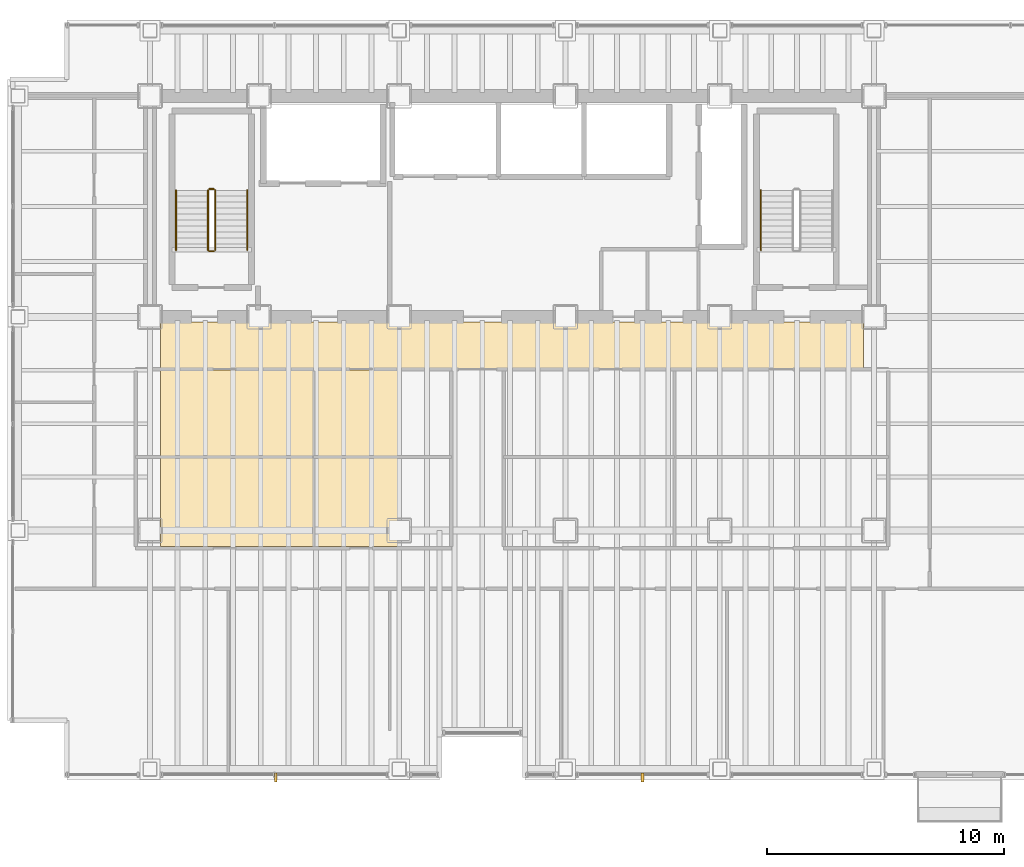
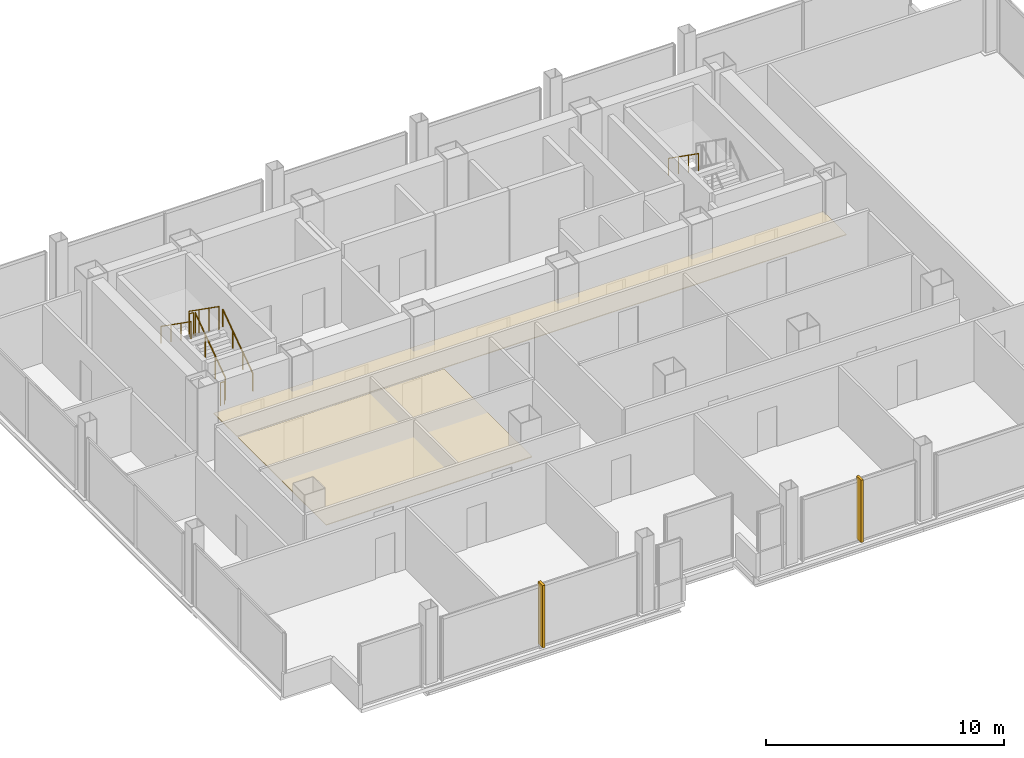
# One storey, part 21 of 22: 7 railings, 2 coverings, 2 shading devices.
"""IFC4 building model written with IfcOpenShell, lengths in metres."""

from ifc_helpers import new_model, si_unit, direction, frame, origin, origin_2d, place, context, subcontext, project, spatial, polyline, rectangle, circle, outline, extrude, material, layer, layer_set, type_object, element, save


model = new_model("IFC4")

# Units and contexts
model_context = context("Model", 3, precision=1e-05, world=origin(), true_north=direction((0.0, 1.0)))
body_context = subcontext(model_context, "Body", "Model", "MODEL_VIEW")
ifc_project = project(units=[si_unit("LENGTHUNIT", "METRE"), si_unit("AREAUNIT", "SQUARE_METRE"), si_unit("VOLUMEUNIT", "CUBIC_METRE"), si_unit("PLANEANGLEUNIT", "RADIAN"), si_unit("MASSUNIT", "GRAM", prefix="KILO")], contexts=[model_context])

# Site, building, storey
site_placement = place(None, origin())
site = spatial("IfcSite", under=ifc_project, at=site_placement, CompositionType="ELEMENT")
building_placement = place(site_placement, origin())
building = spatial("IfcBuilding", under=site, at=building_placement, Name="Noeulbin Bourse Tower", CompositionType="ELEMENT")
storey_placement = place(building_placement, frame((0.0, 0.0, 85.0)))
storey = spatial("IfcBuildingStorey", under=building, at=storey_placement, Name="L21", CompositionType="ELEMENT", Elevation=85.0)

# Coverings
ifc_material_1 = material(Name="Perforated Mineral-Fibre Acoustic Tile")
ifc_layer_1 = layer(ifc_material_1, 0.0400390625)
ifc_layer_set_1 = layer_set([ifc_layer_1], Name="Perforated Mineral-Fibre Acoustic Tile")
covering_type = type_object("IfcCoveringType", Name="COV-CEIL-ACT", PredefinedType="CEILING", material=ifc_layer_set_1)
covering_1_placement = place(storey_placement, frame((0.0, 0.0, 2.110107421875)))
element("IfcCovering", 1, at=covering_1_placement, inside=storey, type_object=covering_type, Name="Corridor Suspended Ceiling L21", PredefinedType="CEILING", context=body_context, shape_type="SweptSolid", body=[
    extrude(outline(polyline([(13.949951171875, 26.820068359375), (43.550048828125, 26.820068359375), (43.550048828125, 28.780029296875), (13.949951171875, 28.780029296875), (13.949951171875, 26.820068359375)])), origin(), (0.0, 0.0, 1.0), 0.039794921875),
])
covering_2_placement = place(storey_placement, frame((0.0, 0.0, 2.110107421875)))
element("IfcCovering", 2, at=covering_2_placement, inside=storey, type_object=covering_type, Name="Trading Suite Acoustic Ceiling L21", PredefinedType="CEILING", context=body_context, shape_type="SweptSolid", body=[
    extrude(outline(polyline([(13.949951171875, 19.320068359375), (23.949951171875, 19.320068359375), (23.949951171875, 26.75), (13.949951171875, 26.75), (13.949951171875, 19.320068359375)])), origin(), (0.0, 0.0, 1.0), 0.039794921875),
])

# Railings
ifc_material_2 = material(Name="Painted Tubular Steel S355", Category="steel")
ifc_layer_2 = layer(ifc_material_2, 0.048095703125)
ifc_layer_set_2 = layer_set([ifc_layer_2], Name="Painted Tubular Steel S355")
railing_type_1 = type_object("IfcRailingType", Name="RLG-STR-GRD", PredefinedType="GUARDRAIL", material=ifc_layer_set_2)
railing_1_placement = place(storey_placement, frame((16.25, 31.81005859375, 0.17724609375)))
element("IfcRailing", 3, at=railing_1_placement, inside=storey, type_object=railing_type_1, Name="L21 ST-1 stair guard 1", PredefinedType="GUARDRAIL", context=body_context, shape_type="SweptSolid", body=[
    extrude(circle(Radius=0.02392578125, at=origin_2d()), frame((0.0, 0.0, 1.17578125), z_axis=(0.0, 0.817904474719, 0.575354039036), x_axis=(-1.0, 0.0, 0.0)), (0.0, 0.0, 1.0), 3.0810546875),
    extrude(circle(Radius=0.02099609375, at=origin_2d()), origin(), (0.0, 0.0, 1.0), 1.15185546875),
    extrude(circle(Radius=0.02099609375, at=origin_2d()), frame((0.0, 0.840087890625, 0.5908203125)), (0.0, 0.0, 1.0), 1.15185546875),
    extrude(circle(Radius=0.02099609375, at=origin_2d()), frame((0.0, 1.679931640625, 1.181884765625)), (0.0, 0.0, 1.0), 1.15185546875),
    extrude(circle(Radius=0.02099609375, at=origin_2d()), frame((0.0, 2.52001953125, 1.772705078125)), (0.0, 0.0, 1.0), 1.15185546875),
])
railing_2_placement = place(storey_placement, frame((16.199951171875, 34.3798828125, 1.949951171875)))
element("IfcRailing", 4, at=railing_2_placement, inside=storey, type_object=railing_type_1, Name="L21 ST-1 stair guard 2", PredefinedType="GUARDRAIL", context=body_context, shape_type="SweptSolid", body=[
    extrude(circle(Radius=0.02392578125, at=origin_2d()), frame((0.0, 0.0, 1.17578125), z_axis=(-1.0, 0.0, 0.0), x_axis=(0.0, -1.0, 0.0)), (0.0, 0.0, 1.0), 0.199951171875),
    extrude(circle(Radius=0.02099609375, at=origin_2d()), origin(), (0.0, 0.0, 1.0), 1.15185546875),
    extrude(circle(Radius=0.02099609375, at=origin_2d()), frame((-0.199951171875, 0.0, 0.0)), (0.0, 0.0, 1.0), 1.15185546875),
])
railing_3_placement = place(storey_placement, frame((15.949951171875, 34.330078125, 2.127197265625)))
element("IfcRailing", 5, at=railing_3_placement, inside=storey, type_object=railing_type_1, Name="L21 ST-1 stair guard 3", PredefinedType="GUARDRAIL", context=body_context, shape_type="SweptSolid", body=[
    extrude(circle(Radius=0.02392578125, at=origin_2d()), frame((0.0, 0.0, 1.17578125), z_axis=(0.0, -0.817904474719, 0.575354039036), x_axis=(1.0, 0.0, 0.0)), (0.0, 0.0, 1.0), 3.0810546875),
    extrude(circle(Radius=0.02099609375, at=origin_2d()), origin(), (0.0, 0.0, 1.0), 1.15185546875),
    extrude(circle(Radius=0.02099609375, at=origin_2d()), frame((0.0, -0.840087890625, 0.5908203125)), (0.0, 0.0, 1.0), 1.15185546875),
    extrude(circle(Radius=0.02099609375, at=origin_2d()), frame((0.0, -1.679931640625, 1.181884765625)), (0.0, 0.0, 1.0), 1.15185546875),
    extrude(circle(Radius=0.02099609375, at=origin_2d()), frame((0.0, -2.52001953125, 1.772705078125)), (0.0, 0.0, 1.0), 1.15185546875),
])
railing_4_placement = place(storey_placement, frame((16.199951171875, 31.760009765625, 0.0)))
element("IfcRailing", 6, at=railing_4_placement, inside=storey, type_object=railing_type_1, Name="L21 ST-1 stair guard 4", PredefinedType="GUARDRAIL", context=body_context, shape_type="SweptSolid", body=[
    extrude(circle(Radius=0.02392578125, at=origin_2d()), frame((0.0, 0.0, 1.17578125), z_axis=(-1.0, 0.0, 0.0), x_axis=(0.0, -1.0, 0.0)), (0.0, 0.0, 1.0), 0.199951171875),
    extrude(circle(Radius=0.02099609375, at=origin_2d()), origin(), (0.0, 0.0, 1.0), 1.15185546875),
    extrude(circle(Radius=0.02099609375, at=origin_2d()), frame((-0.199951171875, 0.0, 0.0)), (0.0, 0.0, 1.0), 1.15185546875),
])
ifc_material_3 = material(Name="Brushed Stainless Steel 316", Category="steel")
ifc_layer_3 = layer(ifc_material_3, 0.048095703125)
ifc_layer_set_3 = layer_set([ifc_layer_3], Name="Brushed Stainless Steel 316")
railing_type_2 = type_object("IfcRailingType", Name="RLG-STR-HND", PredefinedType="HANDRAIL", material=ifc_layer_set_3)
railing_5_placement = place(storey_placement, frame((17.60009765625, 31.81005859375, 0.17724609375)))
element("IfcRailing", 7, at=railing_5_placement, inside=storey, type_object=railing_type_2, Name="L21 ST-1 stair handrail 1", PredefinedType="HANDRAIL", context=body_context, shape_type="SweptSolid", body=[
    extrude(circle(Radius=0.02392578125, at=origin_2d()), frame((0.0, 0.0, 0.8759765625), z_axis=(0.0, 0.817904474719, 0.575354039036), x_axis=(-1.0, 0.0, 0.0)), (0.0, 0.0, 1.0), 3.0810546875),
    extrude(circle(Radius=0.02099609375, at=origin_2d()), origin(), (0.0, 0.0, 1.0), 0.851806640625),
    extrude(circle(Radius=0.02099609375, at=origin_2d()), frame((0.0, 0.840087890625, 0.5908203125)), (0.0, 0.0, 1.0), 0.851806640625),
    extrude(circle(Radius=0.02099609375, at=origin_2d()), frame((0.0, 1.679931640625, 1.181884765625)), (0.0, 0.0, 1.0), 0.851806640625),
    extrude(circle(Radius=0.02099609375, at=origin_2d()), frame((0.0, 2.52001953125, 1.772705078125)), (0.0, 0.0, 1.0), 0.851806640625),
])
for number, where, name in (
    (8, (14.60009765625, 34.330078125, 2.127197265625), "L21 ST-1 stair handrail 2"),
    (9, (39.22998046875, 34.330078125, 2.127197265625), "L21 ST-2 stair handrail 2"),
):
    element("IfcRailing", number, at=place(storey_placement, frame(where)), inside=storey, type_object=railing_type_2, Name=name, PredefinedType="HANDRAIL", context=body_context, shape_type="SweptSolid", body=[
        extrude(circle(Radius=0.02392578125, at=origin_2d()), frame((0.0, 0.0, 0.8759765625), z_axis=(0.0, -0.817904474719, 0.575354039036), x_axis=(1.0, 0.0, 0.0)), (0.0, 0.0, 1.0), 3.0810546875),
        extrude(circle(Radius=0.02099609375, at=origin_2d()), origin(), (0.0, 0.0, 1.0), 0.851806640625),
        extrude(circle(Radius=0.02099609375, at=origin_2d()), frame((0.0, -0.840087890625, 0.5908203125)), (0.0, 0.0, 1.0), 0.851806640625),
        extrude(circle(Radius=0.02099609375, at=origin_2d()), frame((0.0, -1.679931640625, 1.181884765625)), (0.0, 0.0, 1.0), 0.851806640625),
        extrude(circle(Radius=0.02099609375, at=origin_2d()), frame((0.0, -2.52001953125, 1.772705078125)), (0.0, 0.0, 1.0), 0.851806640625),
    ])

# Shading devices
ifc_material_4 = material(Name="Anodised Aluminium 6063-T6", Category="aluminium")
ifc_layer_4 = layer(ifc_material_4, 3.199951171875)
ifc_layer_set_4 = layer_set([ifc_layer_4], Name="Anodised Aluminium 6063-T6")
shading_device_type = type_object("IfcShadingDeviceType", Name="SHD-FIN-400", PredefinedType="USERDEFINED", material=ifc_layer_set_4)
for number, where, z_axis, x_axis, name in (
    (10, (18.800048828125, 9.60009765625, 0.14990234375), (0.0, 0.0, 1.0), (1.0, 0.0, 0.0), "Vertical Solar Fin SN-L21-1"),
    (11, (34.25, 9.60009765625, 0.14990234375), (0.0, 0.0, 1.0), (1.0, 0.0, 0.0), "Vertical Solar Fin SN-L21-2"),
):
    element("IfcShadingDevice", number, at=place(storey_placement, frame(where, z_axis=z_axis, x_axis=x_axis)), inside=storey, type_object=shading_device_type, Name=name, ObjectType="SUNSHADE", PredefinedType="USERDEFINED", context=body_context, shape_type="SweptSolid", body=[
        extrude(rectangle(XDim=0.1201171875, YDim=0.3798828125, at=origin_2d()), origin(), (0.0, 0.0, 1.0), 3.199951171875),
    ])

save(model, "model.ifc")
